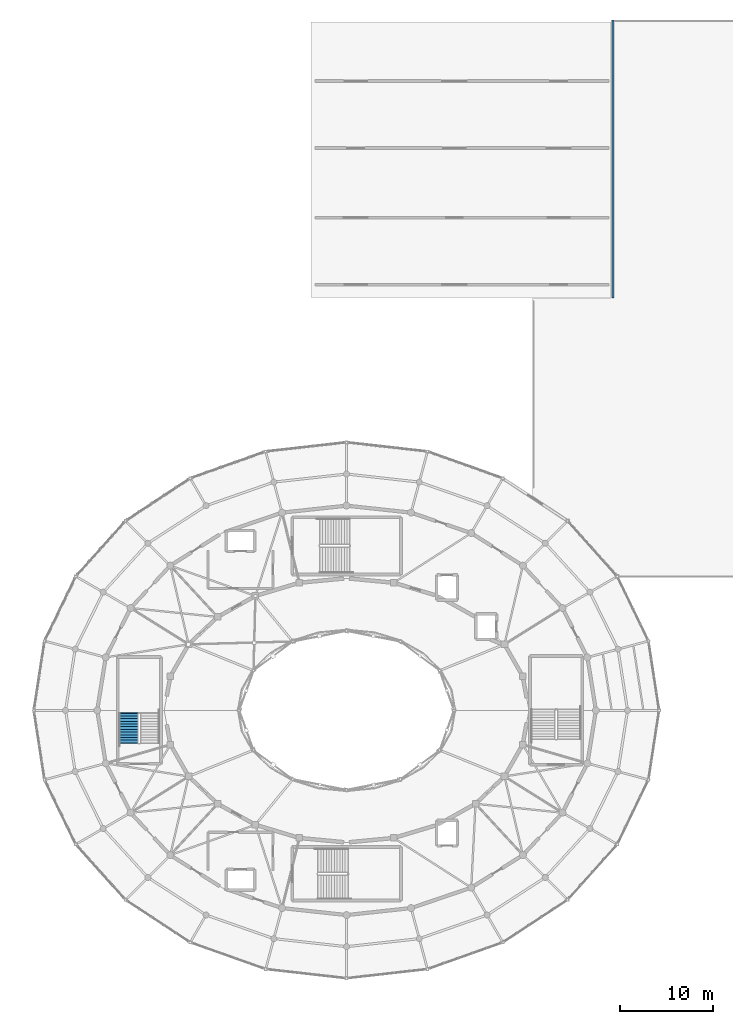
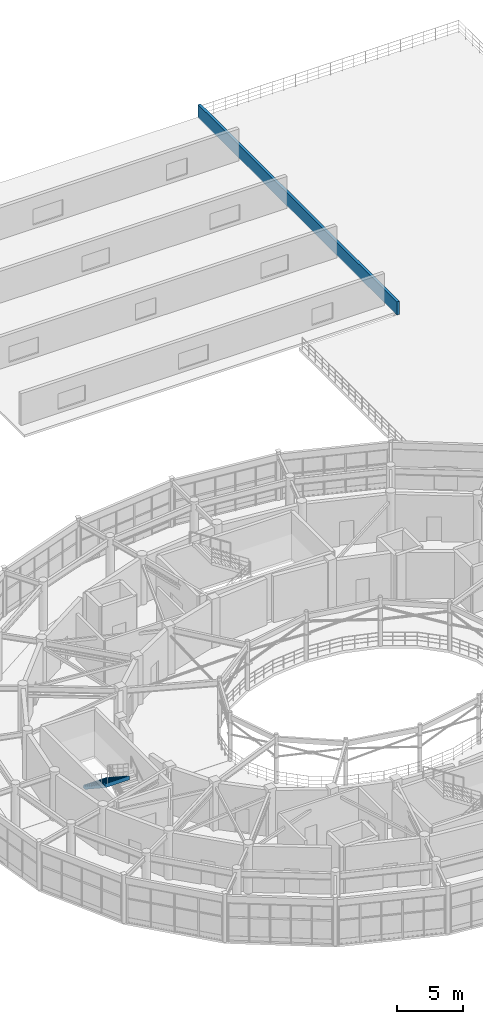
# One storey, part 46 of 60: 1 stair flight, 1 wall, 1 element without a shape of its own.
"""IFC4 building model written with IfcOpenShell, lengths in metres."""

import ifcopenshell
import ifcopenshell.guid

model = None  # the IFC model being written
_history = None  # IfcOwnerHistory: only IFC2X3 demands one
_inside = {}  # id of a spatial element -> (the spatial element, [elements in it])
_under = {}  # id of a project, library or spatial element -> (it, [spatial elements below it])
_declared = {}  # id of a project -> (the project, [libraries it declares])
_typed = {}  # id of a type object -> (the type object, [elements of that type])
_made_of = {}  # id of a material, layer set ... -> (it, [elements and type objects made of it])


def new_model(schema):
    """Start an empty IFC model of exactly this schema.

    Asked for "IFC4X3", IfcOpenShell would pick the latest addendum, in which some entities
    have other attributes; the version numbers below select the first issue.
    IFC2X3 requires an IfcOwnerHistory on every rooted entity: one is made here for all.
    """
    global model, _history
    if schema == "IFC4X3":
        model = ifcopenshell.file(schema_version=(4, 3, 0, 0))
    else:
        model = ifcopenshell.file(schema=schema)
    _inside.clear()
    _under.clear()
    _declared.clear()
    _typed.clear()
    _made_of.clear()
    _history = None
    if model.schema == "IFC2X3":
        org = make("IfcOrganization", Name="unknown")
        user = make(
            "IfcPersonAndOrganization",
            ThePerson=make("IfcPerson", FamilyName="unknown"),
            TheOrganization=org,
        )
        app = make(
            "IfcApplication",
            ApplicationDeveloper=org,
            Version="unknown",
            ApplicationFullName="unknown",
            ApplicationIdentifier="unknown",
        )
        _history = make(
            "IfcOwnerHistory",
            OwningUser=user,
            OwningApplication=app,
            ChangeAction="ADDED",
            CreationDate=0,
        )
    return model


def make(cls, **values):
    """One entity of the class cls with the attributes given. An attribute that is None is left unset."""
    return model.create_entity(
        cls, **{name: value for name, value in values.items() if value is not None}
    )


def rooted(cls, **values):
    """An entity with a GlobalId (a new one), such as an element, a storey or a relation."""
    return make(cls, GlobalId=ifcopenshell.guid.new(), OwnerHistory=_history, **values)


def si_unit(unit_type, name, prefix=None):
    """IfcSIUnit, for example si_unit("LENGTHUNIT", "METRE", prefix="MILLI")."""
    return make("IfcSIUnit", UnitType=unit_type, Prefix=prefix, Name=name)


def assignment(units):
    """IfcUnitAssignment: the units of a project."""
    return None if units is None else make("IfcUnitAssignment", Units=units)


def point(xyz):
    """IfcCartesianPoint."""
    return None if xyz is None else make("IfcCartesianPoint", Coordinates=xyz)


def direction(xyz):
    """IfcDirection."""
    return None if xyz is None else make("IfcDirection", DirectionRatios=xyz)


def frame(location, z_axis=None, x_axis=None):
    """IfcAxis2Placement3D, a coordinate frame: its origin and axes. An axis left out is left unset."""
    return make(
        "IfcAxis2Placement3D",
        Location=point(location),
        Axis=direction(z_axis),
        RefDirection=direction(x_axis),
    )


def frame_2d(location, x_axis=None):
    """IfcAxis2Placement2D, a coordinate frame in the plane: its origin and x axis."""
    return make(
        "IfcAxis2Placement2D", Location=point(location), RefDirection=direction(x_axis)
    )


def origin():
    """The frame at (0, 0, 0) with its axes left unset."""
    return frame((0.0, 0.0, 0.0))


def place(relative_to, where):
    """IfcLocalPlacement: puts the frame where relative to a parent placement (None: the world)."""
    return make(
        "IfcLocalPlacement", PlacementRelTo=relative_to, RelativePlacement=where
    )


def context(
    kind, dimensions, precision=None, world=None, true_north=None, identifier=None
):
    """IfcGeometricRepresentationContext, for example the 3D "Model" context."""
    return make(
        "IfcGeometricRepresentationContext",
        ContextIdentifier=identifier,
        ContextType=kind,
        CoordinateSpaceDimension=dimensions,
        Precision=precision,
        WorldCoordinateSystem=world,
        TrueNorth=true_north,
    )


def subcontext(parent, identifier, kind, view, scale=None):
    """IfcGeometricRepresentationSubContext, for example "Body" below "Model"."""
    return make(
        "IfcGeometricRepresentationSubContext",
        ContextIdentifier=identifier,
        ContextType=kind,
        ParentContext=parent,
        TargetScale=scale,
        TargetView=view,
    )


def project(units=None, contexts=None):
    """IfcProject with its units and contexts."""
    return rooted(
        "IfcProject",
        Name="project",
        RepresentationContexts=contexts,
        UnitsInContext=assignment(units),
    )


def spatial(cls, under=None, at=None, **own):
    """A site, building, storey or space (cls), placed at a placement, below another one or the project."""
    s = rooted(cls, ObjectPlacement=at, **own)
    if under is not None:
        _under.setdefault(under.id(), (under, []))[1].append(s)
    return s


def polyline(points):
    """IfcPolyline through the points."""
    return make("IfcPolyline", Points=[point(p) for p in points])


def profile(cls, at=None, kind="AREA", **sizes):
    """A parametric profile (cls). Its sizes go by their IFC names, for example OverallWidth=200.0."""
    return make(cls, ProfileType=kind, Position=at, **sizes)


def rectangle(**sizes):
    """IfcRectangleProfileDef."""
    return profile("IfcRectangleProfileDef", **sizes)


def outline(outer, holes=None, kind="AREA"):
    """IfcArbitraryClosedProfileDef: a profile drawn as a closed curve; with holes, ...WithVoids."""
    if holes is None:
        return make("IfcArbitraryClosedProfileDef", ProfileType=kind, OuterCurve=outer)
    return make(
        "IfcArbitraryProfileDefWithVoids",
        ProfileType=kind,
        OuterCurve=outer,
        InnerCurves=holes,
    )


def extrude(swept, where, along, depth):
    """IfcExtrudedAreaSolid: the profile swept, set in the frame where, extruded along a direction by depth."""
    return make(
        "IfcExtrudedAreaSolid",
        SweptArea=swept,
        Position=where,
        ExtrudedDirection=direction(along),
        Depth=depth,
    )


def shape(context_of_items, identifier, shape_type, items):
    """IfcShapeRepresentation: the items that make up one representation, for example the "Body"."""
    return make(
        "IfcShapeRepresentation",
        ContextOfItems=context_of_items,
        RepresentationIdentifier=identifier,
        RepresentationType=shape_type,
        Items=items,
    )


def material(Name=None, Category=None):
    """IfcMaterial."""
    return make("IfcMaterial", Name=Name, Category=Category)


def layer(
    of_material, thickness, ventilated=None, Name=None, Category=None, Priority=None
):
    """IfcMaterialLayer: one layer of a wall or slab, of a material (None: an air gap)."""
    return make(
        "IfcMaterialLayer",
        Material=of_material,
        LayerThickness=thickness,
        IsVentilated=ventilated,
        Name=Name,
        Category=Category,
        Priority=Priority,
    )


def layer_set(layers, Name=None):
    """IfcMaterialLayerSet."""
    return make("IfcMaterialLayerSet", MaterialLayers=layers, LayerSetName=Name)


def made_of(thing, what):
    """Note that an element or type object is made of a material, layer set ...; save() writes the relation."""
    if what is not None:
        _made_of.setdefault(what.id(), (what, []))[1].append(thing)
    return thing


def type_object(cls, material=None, **own):
    """A type object (cls), such as IfcWallType, which elements share."""
    return made_of(rooted(cls, **own), material)


def element(
    cls,
    number,
    at=None,
    inside=None,
    cuts=None,
    type_object=None,
    material=None,
    context=None,
    identifier="Body",
    shape_type=None,
    held_by="IfcProductDefinitionShape",
    body=None,
    shapes=None,
    **own,
):
    """One element of the class cls, such as IfcWall. Its Tag is "e" and its number.

    at: its placement. inside: the storey or other place that contains it. cuts: it is an
    opening in that element (IfcRelVoidsElement). A single representation is given by context,
    identifier, shape_type and body (its items); several are given by shapes. held_by: the class
    of the entity that holds the representations. save() writes the other relations.
    """
    e = rooted(cls, Tag="e%d" % number, ObjectPlacement=at, **own)
    if body is not None:
        shapes = [shape(context, identifier, shape_type, body)]
    if shapes is not None:
        e.Representation = make(held_by, Representations=shapes)
    if inside is not None:
        _inside.setdefault(inside.id(), (inside, []))[1].append(e)
    if cuts is not None:
        rooted(
            "IfcRelVoidsElement", RelatingBuildingElement=cuts, RelatedOpeningElement=e
        )
    if type_object is not None:
        _typed.setdefault(type_object.id(), (type_object, []))[1].append(e)
    return made_of(e, material)


def aggregate(whole, parts):
    """IfcRelAggregates: a whole, such as a stair, and the parts it consists of."""
    return rooted("IfcRelAggregates", RelatingObject=whole, RelatedObjects=parts)


def save(model, path):
    """Write the relations noted so far, then the file.

    IfcRelAggregates (storeys below a building ...), IfcRelContainedInSpatialStructure (elements
    in a storey), IfcRelDefinesByType, IfcRelAssociatesMaterial and IfcRelDeclares: one each for
    every whole, place, type object, material and project.
    """
    for whole, parts in _under.values():
        aggregate(whole, parts)
    for where, things in _inside.values():
        rooted(
            "IfcRelContainedInSpatialStructure",
            RelatedElements=things,
            RelatingStructure=where,
        )
    for kind, things in _typed.values():
        rooted("IfcRelDefinesByType", RelatedObjects=things, RelatingType=kind)
    for what, things in _made_of.values():
        rooted("IfcRelAssociatesMaterial", RelatedObjects=things, RelatingMaterial=what)
    for by, libraries in _declared.values():
        rooted("IfcRelDeclares", RelatingContext=by, RelatedDefinitions=libraries)
    model.write(path)


model = new_model("IFC4")

# Units and contexts
model_context = context("Model", 3, precision=1e-05, world=origin(), true_north=direction((0.0, 1.0)))
body_context = subcontext(model_context, "Body", "Model", "MODEL_VIEW")
ifc_project = project(units=[si_unit("LENGTHUNIT", "METRE"), si_unit("AREAUNIT", "SQUARE_METRE"), si_unit("VOLUMEUNIT", "CUBIC_METRE"), si_unit("PLANEANGLEUNIT", "RADIAN"), si_unit("MASSUNIT", "GRAM", prefix="KILO")], contexts=[model_context])

# Site, building, storey
site_placement = place(None, origin())
site = spatial("IfcSite", under=ifc_project, at=site_placement, CompositionType="ELEMENT")
building_placement = place(site_placement, origin())
building = spatial("IfcBuilding", under=site, at=building_placement, Name="Cinderbank Siding Concert Hall", CompositionType="ELEMENT")
storey_placement = place(building_placement, frame((0.0, 0.0, 14.699951171875)))
storey = spatial("IfcBuildingStorey", under=building, at=storey_placement, Name="L04", CompositionType="ELEMENT", Elevation=14.699951171875)

# Wall
ifc_material_1 = material(Name="Clinker clay brickwork masonry AS 3700 (20 MPa)", Category="masonry")
ifc_layer = layer(ifc_material_1, 0.22998046875)
ifc_layer_set = layer_set([ifc_layer], Name="Clinker clay brickwork masonry AS 3700 (20 MPa)")
wall_type = type_object("IfcWallType", Name="WL-10 Exterior Wall 230mm", PredefinedType="PARAPET", material=ifc_layer_set)
wall_placement = place(storey_placement, frame((150.6201171875, 88.300048828125, 0.0), z_axis=(0.0, 0.0, 1.0), x_axis=(0.0, 1.0, 0.0)))
element("IfcWall", 1, at=wall_placement, inside=storey, type_object=wall_type, Name="L04 Terrace to Sawtooth Roof Dividing Parapet", PredefinedType="PARAPET", context=body_context, shape_type="SweptSolid", body=[
    extrude(rectangle(XDim=29.89990234375, YDim=0.22998046875, at=frame_2d((14.949951171875, 0.0))), origin(), (0.0, 0.0, 1.0), 1.199951171875),
])

# Stair, stair flight
ifc_material_2 = material(Name="Reinforced concrete AS 3600 N50 (50 MPa)", Category="concrete")
stair_type = type_object("IfcStairType", Name="STR-D Dogleg Exit Stair 2100mm", PredefinedType="HALF_TURN_STAIR", material=ifc_material_2)
stair_placement = place(storey_placement, origin())
stair = element("IfcStair", 2, at=stair_placement, inside=storey, type_object=stair_type, Name="L04 West Drum Exit Stair ST-04", PredefinedType="HALF_TURN_STAIR")
stair_flight_type = type_object("IfcStairFlightType", Name="SFL-D Concrete Stair Flight 2100mm", PredefinedType="STRAIGHT", material=ifc_material_2)
stair_flight_placement = place(storey_placement, frame((98.590087890625, 43.68994140625, 2.25), z_axis=(0.0, 0.0, 1.0), x_axis=(0.0, -1.0, 0.0)))
stair_flight = element("IfcStairFlight", 3, at=stair_flight_placement, type_object=stair_flight_type, Name="ST-04 flight 2", NumberOfRisers=12, NumberOfTreads=11, PredefinedType="STRAIGHT", RiserHeight=0.1875, TreadLength=0.29, context=body_context, shape_type="SweptSolid", body=[
    extrude(outline(polyline([(0.0, 0.0), (0.0, 0.1875), (0.2900390625, 0.1875), (0.2900390625, 0.375), (0.580078125, 0.375), (0.580078125, 0.5625), (0.8701171875, 0.5625), (0.8701171875, 0.75), (1.159912109375, 0.75), (1.159912109375, 0.9375), (1.449951171875, 0.9375), (1.449951171875, 1.125), (1.739990234375, 1.125), (1.739990234375, 1.3125), (2.030029296875, 1.3125), (2.030029296875, 1.5), (2.320068359375, 1.5), (2.320068359375, 1.6875), (2.610107421875, 1.6875), (2.610107421875, 1.875), (2.89990234375, 1.875), (2.89990234375, 2.0625), (3.18994140625, 2.0625), (3.244873046875, 2.25), (3.244873046875, 1.884033203125), (3.24462890625, 1.88427734375), (3.24462890625, 1.884521484375), (3.24462890625, 1.884765625), (3.24462890625, 1.885009765625), (3.24462890625, 1.88525390625), (3.24462890625, 1.885498046875), (3.24462890625, 1.8857421875), (3.24462890625, 1.885986328125), (3.24462890625, 1.88623046875), (3.24462890625, 1.886474609375), (3.24462890625, 1.88671875), (3.24462890625, 1.886962890625), (3.244384765625, 1.886962890625), (3.244384765625, 1.88671875), (3.244384765625, 1.886474609375), (3.244384765625, 1.88623046875), (3.244384765625, 1.885986328125), (3.244384765625, 1.8857421875), (3.244384765625, 1.885498046875), (3.244384765625, 1.88525390625), (3.244384765625, 1.885009765625), (3.244384765625, 1.884765625), (3.244384765625, 1.884521484375), (3.244384765625, 1.88427734375), (3.244384765625, 1.884033203125), (3.244140625, 1.88427734375), (3.244140625, 1.884521484375), (3.244140625, 1.884765625), (3.244140625, 1.885009765625), (3.244140625, 1.88525390625), (3.244140625, 1.885498046875), (3.244140625, 1.8857421875), (3.244140625, 1.885986328125), (3.244140625, 1.88623046875), (3.244140625, 1.886474609375), (3.244140625, 1.88671875), (3.244140625, 1.886962890625), (3.243896484375, 1.886962890625), (3.243896484375, 1.88671875), (3.243896484375, 1.886474609375), (3.243896484375, 1.88623046875), (3.243896484375, 1.885986328125), (3.243896484375, 1.8857421875), (3.243896484375, 1.885498046875), (3.243896484375, 1.88525390625), (3.243896484375, 1.885009765625), (3.243896484375, 1.884765625), (3.243896484375, 1.884521484375), (3.243896484375, 1.88427734375), (3.243896484375, 1.884033203125), (3.24365234375, 1.88427734375), (3.24365234375, 1.884521484375), (3.24365234375, 1.884765625), (3.24365234375, 1.885009765625), (3.24365234375, 1.88525390625), (3.24365234375, 1.885498046875), (3.24365234375, 1.8857421875), (3.24365234375, 1.885986328125), (3.24365234375, 1.88623046875), (3.24365234375, 1.886474609375), (3.24365234375, 1.88671875), (3.24365234375, 1.886962890625), (3.243408203125, 1.886962890625), (3.243408203125, 1.88671875), (3.243408203125, 1.886474609375), (3.243408203125, 1.88623046875), (3.243408203125, 1.885986328125), (3.243408203125, 1.8857421875), (3.243408203125, 1.885498046875), (3.243408203125, 1.88525390625), (3.243408203125, 1.885009765625), (3.243408203125, 1.884765625), (3.243408203125, 1.884521484375), (3.243408203125, 1.88427734375), (3.243408203125, 1.884033203125), (3.2431640625, 1.88427734375), (3.2431640625, 1.884521484375), (3.2431640625, 1.884765625), (3.2431640625, 1.885009765625), (3.2431640625, 1.88525390625), (3.2431640625, 1.885498046875), (3.2431640625, 1.8857421875), (3.2431640625, 1.885986328125), (3.2431640625, 1.88623046875), (3.2431640625, 1.886474609375), (3.2431640625, 1.88671875), (3.2431640625, 1.886962890625), (3.242919921875, 1.886962890625), (3.242919921875, 1.88671875), (3.242919921875, 1.886474609375), (3.242919921875, 1.88623046875), (3.242919921875, 1.885986328125), (3.242919921875, 1.8857421875), (3.242919921875, 1.885498046875), (3.242919921875, 1.88525390625), (3.242919921875, 1.885009765625), (3.242919921875, 1.884765625), (3.242919921875, 1.884521484375), (3.242919921875, 1.88427734375), (3.242919921875, 1.884033203125), (3.24267578125, 1.88427734375), (3.24267578125, 1.884521484375), (3.24267578125, 1.884765625), (3.24267578125, 1.885009765625), (3.24267578125, 1.88525390625), (3.24267578125, 1.885498046875), (3.24267578125, 1.8857421875), (3.24267578125, 1.885986328125), (3.24267578125, 1.88623046875), (3.24267578125, 1.886474609375), (3.24267578125, 1.88671875), (3.24267578125, 1.886962890625), (3.242431640625, 1.886962890625), (3.242431640625, 1.88671875), (3.242431640625, 1.886474609375), (3.242431640625, 1.88623046875), (3.242431640625, 1.885986328125), (3.242431640625, 1.8857421875), (3.242431640625, 1.885498046875), (3.242431640625, 1.88525390625), (3.242431640625, 1.885009765625), (3.242431640625, 1.884765625), (3.242431640625, 1.884521484375), (3.242431640625, 1.88427734375), (3.242431640625, 1.884033203125), (3.2421875, 1.88427734375), (3.2421875, 1.884521484375), (3.2421875, 1.884765625), (3.2421875, 1.885009765625), (3.2421875, 1.88525390625), (3.2421875, 1.885498046875), (3.2421875, 1.8857421875), (3.2421875, 1.885986328125), (3.2421875, 1.88623046875), (3.2421875, 1.886474609375), (3.2421875, 1.88671875), (3.2421875, 1.886962890625), (3.241943359375, 1.886962890625), (3.241943359375, 1.88671875), (3.241943359375, 1.886474609375), (3.241943359375, 1.88623046875), (3.241943359375, 1.885986328125), (3.241943359375, 1.8857421875), (3.241943359375, 1.885498046875), (3.241943359375, 1.88525390625), (3.241943359375, 1.885009765625), (3.241943359375, 1.884765625), (3.241943359375, 1.884521484375), (3.241943359375, 1.88427734375), (3.241943359375, 1.884033203125), (3.24169921875, 1.88427734375), (3.24169921875, 1.884521484375), (3.24169921875, 1.884765625), (3.24169921875, 1.885009765625), (3.24169921875, 1.88525390625), (3.24169921875, 1.885498046875), (3.24169921875, 1.8857421875), (3.24169921875, 1.885986328125), (3.24169921875, 1.88623046875), (3.24169921875, 1.886474609375), (3.24169921875, 1.88671875), (3.24169921875, 1.886962890625), (3.241455078125, 1.886962890625), (3.241455078125, 1.88671875), (3.241455078125, 1.886474609375), (3.241455078125, 1.88623046875), (3.241455078125, 1.885986328125), (3.241455078125, 1.8857421875), (3.241455078125, 1.885498046875), (3.241455078125, 1.88525390625), (3.241455078125, 1.885009765625), (3.241455078125, 1.884765625), (3.241455078125, 1.884521484375), (3.241455078125, 1.88427734375), (3.241455078125, 1.884033203125), (3.2412109375, 1.88427734375), (3.2412109375, 1.884521484375), (3.2412109375, 1.884765625), (3.2412109375, 1.885009765625), (3.2412109375, 1.88525390625), (3.2412109375, 1.885498046875), (3.2412109375, 1.8857421875), (3.2412109375, 1.885986328125), (3.2412109375, 1.88623046875), (3.2412109375, 1.886474609375), (3.2412109375, 1.88671875), (3.2412109375, 1.886962890625), (3.240966796875, 1.886962890625), (3.240966796875, 1.88671875), (3.240966796875, 1.886474609375), (3.240966796875, 1.88623046875), (3.240966796875, 1.885986328125), (3.240966796875, 1.8857421875), (3.240966796875, 1.885498046875), (3.240966796875, 1.88525390625), (3.240966796875, 1.885009765625), (3.240966796875, 1.884765625), (3.240966796875, 1.884521484375), (3.240966796875, 1.88427734375), (3.240966796875, 1.884033203125), (3.24072265625, 1.88427734375), (3.24072265625, 1.884521484375), (3.24072265625, 1.884765625), (3.24072265625, 1.885009765625), (3.24072265625, 1.88525390625), (3.24072265625, 1.885498046875), (3.24072265625, 1.8857421875), (3.24072265625, 1.885986328125), (3.24072265625, 1.88623046875), (3.24072265625, 1.886474609375), (3.24072265625, 1.88671875), (3.24072265625, 1.886962890625), (3.240478515625, 1.886962890625), (3.240478515625, 1.88671875), (3.240478515625, 1.886474609375), (3.240478515625, 1.88623046875), (3.240478515625, 1.885986328125), (3.240478515625, 1.8857421875), (3.240478515625, 1.885498046875), (3.240478515625, 1.88525390625), (3.240478515625, 1.885009765625), (3.240478515625, 1.884765625), (3.240478515625, 1.884521484375), (3.240478515625, 1.88427734375), (3.240478515625, 1.884033203125), (3.240234375, 1.88427734375), (3.240234375, 1.884521484375), (3.240234375, 1.884765625), (3.240234375, 1.885009765625), (3.240234375, 1.88525390625), (3.240234375, 1.885498046875), (3.240234375, 1.8857421875), (3.240234375, 1.885986328125), (3.240234375, 1.88623046875), (3.240234375, 1.886474609375), (3.240234375, 1.88671875), (3.240234375, 1.886962890625), (3.239990234375, 1.886962890625), (3.239990234375, 1.88671875), (3.239990234375, 1.886474609375), (3.239990234375, 1.88623046875), (3.239990234375, 1.885986328125), (3.239990234375, 1.8857421875), (3.239990234375, 1.885498046875), (3.239990234375, 1.88525390625), (3.239990234375, 1.885009765625), (3.239990234375, 1.884765625), (3.239990234375, 1.884521484375), (3.239990234375, 1.88427734375), (3.239990234375, 1.884033203125), (3.23974609375, 1.88427734375), (3.23974609375, 1.884521484375), (3.23974609375, 1.884765625), (3.23974609375, 1.885009765625), (3.23974609375, 1.88525390625), (3.23974609375, 1.885498046875), (3.23974609375, 1.8857421875), (3.23974609375, 1.885986328125), (3.23974609375, 1.88623046875), (3.23974609375, 1.886474609375), (3.23974609375, 1.88671875), (3.23974609375, 1.886962890625), (3.239501953125, 1.886962890625), (3.239501953125, 1.88671875), (3.239501953125, 1.886474609375), (3.239501953125, 1.88623046875), (3.239501953125, 1.885986328125), (3.239501953125, 1.8857421875), (3.239501953125, 1.885498046875), (3.239501953125, 1.88525390625), (3.239501953125, 1.885009765625), (3.239501953125, 1.884765625), (3.239501953125, 1.884521484375), (3.239501953125, 1.88427734375), (3.239501953125, 1.884033203125), (3.2392578125, 1.88427734375), (3.2392578125, 1.884521484375), (3.2392578125, 1.884765625), (3.2392578125, 1.885009765625), (3.2392578125, 1.88525390625), (3.2392578125, 1.885498046875), (3.2392578125, 1.8857421875), (3.2392578125, 1.885986328125), (3.2392578125, 1.88623046875), (3.2392578125, 1.886474609375), (3.2392578125, 1.88671875), (3.2392578125, 1.886962890625), (3.239013671875, 1.886962890625), (3.239013671875, 1.88671875), (3.239013671875, 1.886474609375), (3.239013671875, 1.88623046875), (3.239013671875, 1.885986328125), (3.239013671875, 1.8857421875), (3.239013671875, 1.885498046875), (3.239013671875, 1.88525390625), (3.239013671875, 1.885009765625), (3.239013671875, 1.884765625), (3.239013671875, 1.884521484375), (3.239013671875, 1.88427734375), (3.239013671875, 1.884033203125), (3.23876953125, 1.88427734375), (3.23876953125, 1.884521484375), (3.23876953125, 1.884765625), (3.23876953125, 1.885009765625), (3.23876953125, 1.88525390625), (3.23876953125, 1.885498046875), (3.23876953125, 1.8857421875), (3.23876953125, 1.885986328125), (3.23876953125, 1.88623046875), (3.23876953125, 1.886474609375), (3.23876953125, 1.88671875), (3.23876953125, 1.886962890625), (3.238525390625, 1.886962890625), (3.238525390625, 1.88671875), (3.238525390625, 1.886474609375), (3.238525390625, 1.88623046875), (3.238525390625, 1.885986328125), (3.238525390625, 1.8857421875), (3.238525390625, 1.885498046875), (3.238525390625, 1.88525390625), (3.238525390625, 1.885009765625), (3.238525390625, 1.884765625), (3.238525390625, 1.884521484375), (3.238525390625, 1.88427734375), (3.238525390625, 1.884033203125), (0.276123046875, -0.06396484375), (-0.048583984375, -0.063720703125), (-0.048583984375, -0.0634765625), (-0.048583984375, -0.063232421875), (-0.048583984375, -0.06298828125), (-0.048583984375, -0.062744140625), (-0.048583984375, -0.0625), (-0.048583984375, -0.062255859375), (-0.048583984375, -0.06201171875), (-0.048583984375, -0.061767578125), (-0.048583984375, -0.0615234375), (-0.048583984375, -0.061279296875), (-0.048583984375, -0.06103515625), (-0.048828125, -0.06103515625), (-0.048828125, -0.061279296875), (-0.048828125, -0.0615234375), (-0.048828125, -0.061767578125), (-0.048828125, -0.06201171875), (-0.048828125, -0.062255859375), (-0.048828125, -0.0625), (-0.048828125, -0.062744140625), (-0.048828125, -0.06298828125), (-0.048828125, -0.063232421875), (-0.048828125, -0.0634765625), (-0.048828125, -0.063720703125), (-0.048828125, -0.06396484375), (-0.049072265625, -0.063720703125), (-0.049072265625, -0.0634765625), (-0.049072265625, -0.063232421875), (-0.049072265625, -0.06298828125), (-0.049072265625, -0.062744140625), (-0.049072265625, -0.0625), (-0.049072265625, -0.062255859375), (-0.049072265625, -0.06201171875), (-0.049072265625, -0.061767578125), (-0.049072265625, -0.0615234375), (-0.049072265625, -0.061279296875), (-0.049072265625, -0.06103515625), (-0.04931640625, -0.06103515625), (-0.04931640625, -0.061279296875), (-0.04931640625, -0.0615234375), (-0.04931640625, -0.061767578125), (-0.04931640625, -0.06201171875), (-0.04931640625, -0.062255859375), (-0.04931640625, -0.0625), (-0.04931640625, -0.062744140625), (-0.04931640625, -0.06298828125), (-0.04931640625, -0.063232421875), (-0.04931640625, -0.0634765625), (-0.04931640625, -0.063720703125), (-0.04931640625, -0.06396484375), (-0.049560546875, -0.063720703125), (-0.049560546875, -0.0634765625), (-0.049560546875, -0.063232421875), (-0.049560546875, -0.06298828125), (-0.049560546875, -0.062744140625), (-0.049560546875, -0.0625), (-0.049560546875, -0.062255859375), (-0.049560546875, -0.06201171875), (-0.049560546875, -0.061767578125), (-0.049560546875, -0.0615234375), (-0.049560546875, -0.061279296875), (-0.049560546875, -0.06103515625), (-0.0498046875, -0.06103515625), (-0.0498046875, -0.061279296875), (-0.0498046875, -0.0615234375), (-0.0498046875, -0.061767578125), (-0.0498046875, -0.06201171875), (-0.0498046875, -0.062255859375), (-0.0498046875, -0.0625), (-0.0498046875, -0.062744140625), (-0.0498046875, -0.06298828125), (-0.0498046875, -0.063232421875), (-0.0498046875, -0.0634765625), (-0.0498046875, -0.063720703125), (-0.0498046875, -0.06396484375), (-0.050048828125, -0.063720703125), (-0.050048828125, -0.0634765625), (-0.050048828125, -0.063232421875), (-0.050048828125, -0.06298828125), (-0.050048828125, -0.062744140625), (-0.050048828125, -0.0625), (-0.050048828125, -0.062255859375), (-0.050048828125, -0.06201171875), (-0.050048828125, -0.061767578125), (-0.050048828125, -0.0615234375), (-0.050048828125, -0.061279296875), (-0.050048828125, -0.06103515625), (-0.05029296875, -0.06103515625), (-0.05029296875, -0.061279296875), (-0.05029296875, -0.0615234375), (-0.05029296875, -0.061767578125), (-0.05029296875, -0.06201171875), (-0.05029296875, -0.062255859375), (-0.05029296875, -0.0625), (-0.05029296875, -0.062744140625), (-0.05029296875, -0.06298828125), (-0.05029296875, -0.063232421875), (-0.05029296875, -0.0634765625), (-0.05029296875, -0.063720703125), (-0.05029296875, -0.06396484375), (-0.050537109375, -0.063720703125), (-0.050537109375, -0.0634765625), (-0.050537109375, -0.063232421875), (-0.050537109375, -0.06298828125), (-0.050537109375, -0.062744140625), (-0.050537109375, -0.0625), (-0.050537109375, -0.062255859375), (-0.050537109375, -0.06201171875), (-0.050537109375, -0.061767578125), (-0.050537109375, -0.0615234375), (-0.050537109375, -0.061279296875), (-0.050537109375, -0.06103515625), (-0.05078125, -0.06103515625), (-0.05078125, -0.061279296875), (-0.05078125, -0.0615234375), (-0.05078125, -0.061767578125), (-0.05078125, -0.06201171875), (-0.05078125, -0.062255859375), (-0.05078125, -0.0625), (-0.05078125, -0.062744140625), (-0.05078125, -0.06298828125), (-0.05078125, -0.063232421875), (-0.05078125, -0.0634765625), (-0.05078125, -0.063720703125), (-0.05078125, -0.06396484375), (-0.051025390625, -0.063720703125), (-0.051025390625, -0.0634765625), (-0.051025390625, -0.063232421875), (-0.051025390625, -0.06298828125), (-0.051025390625, -0.062744140625), (-0.051025390625, -0.0625), (-0.051025390625, -0.062255859375), (-0.051025390625, -0.06201171875), (-0.051025390625, -0.061767578125), (-0.051025390625, -0.0615234375), (-0.051025390625, -0.061279296875), (-0.051025390625, -0.06103515625), (-0.05126953125, -0.06103515625), (-0.05126953125, -0.061279296875), (-0.05126953125, -0.0615234375), (-0.05126953125, -0.061767578125), (-0.05126953125, -0.06201171875), (-0.05126953125, -0.062255859375), (-0.05126953125, -0.0625), (-0.05126953125, -0.062744140625), (-0.05126953125, -0.06298828125), (-0.05126953125, -0.063232421875), (-0.05126953125, -0.0634765625), (-0.05126953125, -0.063720703125), (-0.05126953125, -0.06396484375), (-0.051513671875, -0.063720703125), (-0.051513671875, -0.0634765625), (-0.051513671875, -0.063232421875), (-0.051513671875, -0.06298828125), (-0.051513671875, -0.062744140625), (-0.051513671875, -0.0625), (-0.051513671875, -0.062255859375), (-0.051513671875, -0.06201171875), (-0.051513671875, -0.061767578125), (-0.051513671875, -0.0615234375), (-0.051513671875, -0.061279296875), (-0.051513671875, -0.06103515625), (-0.0517578125, -0.06103515625), (-0.0517578125, -0.061279296875), (-0.0517578125, -0.0615234375), (-0.0517578125, -0.061767578125), (-0.0517578125, -0.06201171875), (-0.0517578125, -0.062255859375), (-0.0517578125, -0.0625), (-0.0517578125, -0.062744140625), (-0.0517578125, -0.06298828125), (-0.0517578125, -0.063232421875), (-0.0517578125, -0.0634765625), (-0.0517578125, -0.063720703125), (-0.0517578125, -0.06396484375), (-0.052001953125, -0.063720703125), (-0.052001953125, -0.0634765625), (-0.052001953125, -0.063232421875), (-0.052001953125, -0.06298828125), (-0.052001953125, -0.062744140625), (-0.052001953125, -0.0625), (-0.052001953125, -0.062255859375), (-0.052001953125, -0.06201171875), (-0.052001953125, -0.061767578125), (-0.052001953125, -0.0615234375), (-0.052001953125, -0.061279296875), (-0.052001953125, -0.06103515625), (-0.05224609375, -0.06103515625), (-0.05224609375, -0.061279296875), (-0.05224609375, -0.0615234375), (-0.05224609375, -0.061767578125), (-0.05224609375, -0.06201171875), (-0.05224609375, -0.062255859375), (-0.05224609375, -0.0625), (-0.05224609375, -0.062744140625), (-0.05224609375, -0.06298828125), (-0.05224609375, -0.063232421875), (-0.05224609375, -0.0634765625), (-0.05224609375, -0.063720703125), (-0.05224609375, -0.06396484375), (-0.052490234375, -0.063720703125), (-0.052490234375, -0.0634765625), (-0.052490234375, -0.063232421875), (-0.052490234375, -0.06298828125), (-0.052490234375, -0.062744140625), (-0.052490234375, -0.0625), (-0.052490234375, -0.062255859375), (-0.052490234375, -0.06201171875), (-0.052490234375, -0.061767578125), (-0.052490234375, -0.0615234375), (-0.052490234375, -0.061279296875), (-0.052490234375, -0.06103515625), (-0.052734375, -0.06103515625), (-0.052734375, -0.061279296875), (-0.052734375, -0.0615234375), (-0.052734375, -0.061767578125), (-0.052734375, -0.06201171875), (-0.052734375, -0.062255859375), (-0.052734375, -0.0625), (-0.052734375, -0.062744140625), (-0.052734375, -0.06298828125), (-0.052734375, -0.063232421875), (-0.052734375, -0.0634765625), (-0.052734375, -0.063720703125), (-0.052734375, -0.06396484375), (-0.052978515625, -0.063720703125), (-0.052978515625, -0.0634765625), (-0.052978515625, -0.063232421875), (-0.052978515625, -0.06298828125), (-0.052978515625, -0.062744140625), (-0.052978515625, -0.0625), (-0.052978515625, -0.062255859375), (-0.052978515625, -0.06201171875), (-0.052978515625, -0.061767578125), (-0.052978515625, -0.0615234375), (-0.052978515625, -0.061279296875), (-0.052978515625, -0.06103515625), (-0.05322265625, -0.06103515625), (-0.05322265625, -0.061279296875), (-0.05322265625, -0.0615234375), (-0.05322265625, -0.061767578125), (-0.05322265625, -0.06201171875), (-0.05322265625, -0.062255859375), (-0.05322265625, -0.0625), (-0.05322265625, -0.062744140625), (-0.05322265625, -0.06298828125), (-0.05322265625, -0.063232421875), (-0.05322265625, -0.0634765625), (-0.05322265625, -0.063720703125), (-0.05322265625, -0.06396484375), (-0.053466796875, -0.063720703125), (-0.053466796875, -0.0634765625), (-0.053466796875, -0.063232421875), (-0.053466796875, -0.06298828125), (-0.053466796875, -0.062744140625), (-0.053466796875, -0.0625), (-0.053466796875, -0.062255859375), (-0.053466796875, -0.06201171875), (-0.053466796875, -0.061767578125), (-0.053466796875, -0.0615234375), (-0.053466796875, -0.061279296875), (-0.053466796875, -0.06103515625), (-0.0537109375, -0.06103515625), (-0.0537109375, -0.061279296875), (-0.0537109375, -0.0615234375), (-0.0537109375, -0.061767578125), (-0.0537109375, -0.06201171875), (-0.0537109375, -0.062255859375), (-0.0537109375, -0.0625), (-0.0537109375, -0.062744140625), (-0.0537109375, -0.06298828125), (-0.0537109375, -0.063232421875), (-0.0537109375, -0.0634765625), (-0.0537109375, -0.063720703125), (-0.0537109375, -0.06396484375), (-0.053955078125, -0.063720703125), (-0.053955078125, -0.0634765625), (-0.053955078125, -0.063232421875), (-0.053955078125, -0.06298828125), (-0.053955078125, -0.062744140625), (-0.053955078125, -0.0625), (-0.053955078125, -0.062255859375), (-0.053955078125, -0.06201171875), (-0.053955078125, -0.061767578125), (-0.053955078125, -0.0615234375), (-0.053955078125, -0.061279296875), (-0.053955078125, -0.06103515625), (-0.05419921875, -0.06103515625), (-0.05419921875, -0.061279296875), (-0.05419921875, -0.0615234375), (-0.05419921875, -0.061767578125), (-0.05419921875, -0.06201171875), (-0.05419921875, -0.062255859375), (-0.05419921875, -0.0625), (-0.05419921875, -0.062744140625), (-0.05419921875, -0.06298828125), (-0.05419921875, -0.063232421875), (-0.05419921875, -0.0634765625), (-0.05419921875, -0.063720703125), (-0.05419921875, -0.06396484375), (-0.054443359375, -0.063720703125), (-0.054443359375, -0.0634765625), (-0.054443359375, -0.063232421875), (-0.054443359375, -0.06298828125), (-0.054443359375, -0.062744140625), (-0.054443359375, -0.0625), (-0.054443359375, -0.062255859375), (-0.054443359375, -0.06201171875), (-0.054443359375, -0.061767578125), (-0.054443359375, -0.0615234375), (-0.054443359375, -0.061279296875), (-0.054443359375, -0.06103515625), (-0.0546875, -0.06103515625), (-0.0546875, -0.061279296875), (-0.0546875, -0.0615234375), (-0.0546875, -0.061767578125), (-0.0546875, -0.06201171875), (-0.0546875, -0.062255859375), (-0.0546875, -0.0625), (-0.0546875, -0.062744140625), (-0.0546875, -0.06298828125), (-0.0546875, -0.063232421875), (-0.0546875, -0.0634765625), (-0.0546875, -0.063720703125), (-0.0546875, -0.06396484375), (-0.054931640625, -0.06396484375), (-0.054931640625, 0.0), (0.0, 0.0)])), frame((0.0, 1.050048828125, 0.0), z_axis=(0.0, -1.0, 0.0), x_axis=(1.0, 0.0, 0.0)), (0.0, 0.0, 1.0), 2.10009765625),
])
aggregate(stair, [stair_flight])

save(model, "model.ifc")
